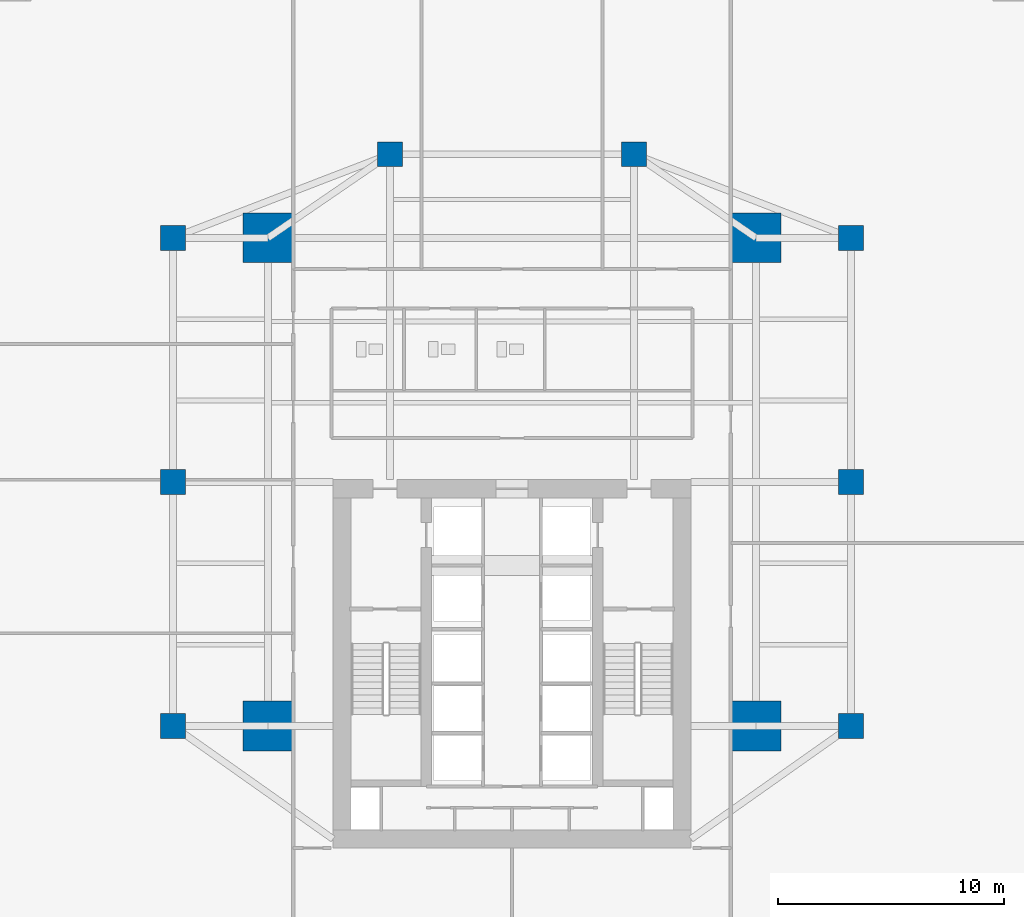
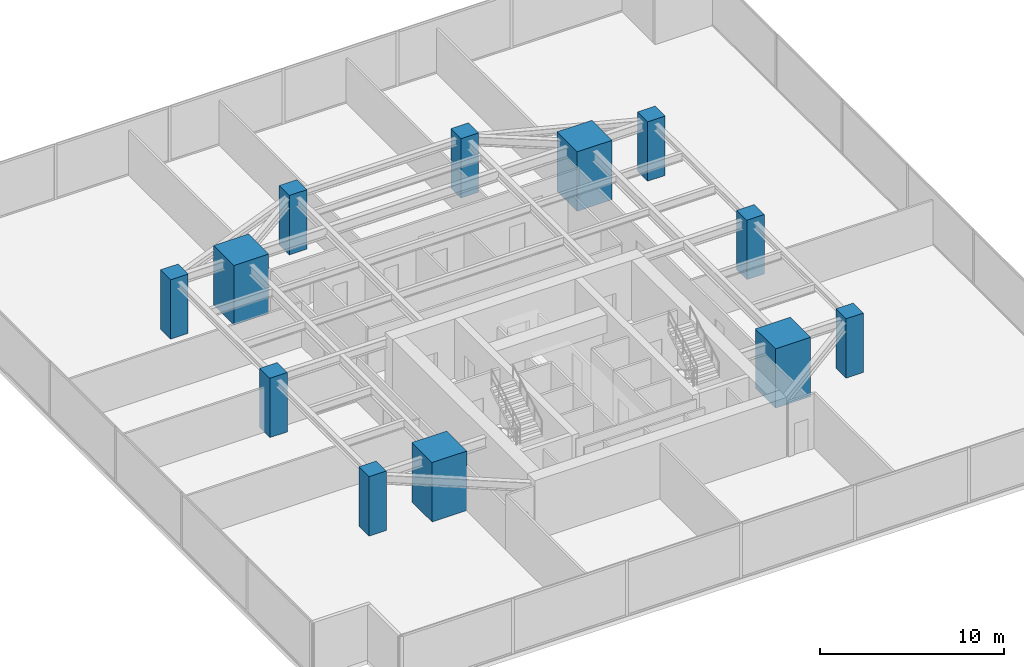
# One storey, part 1 of 28: 12 columns.
"""IFC4 building model written with IfcOpenShell, lengths in metres."""

from ifc_helpers import new_model, si_unit, direction, frame, origin, origin_2d, place, context, subcontext, project, spatial, rectangle, extrude, source, transform, mapped, material, material_profile, profile_set, type_object, type_shapes, element, save


model = new_model("IFC4")

# Units and contexts
model_context = context("Model", 3, precision=1e-05, world=origin(), true_north=direction((0.0, 1.0)))
body_context = subcontext(model_context, "Body", "Model", "MODEL_VIEW")
ifc_project = project(units=[si_unit("LENGTHUNIT", "METRE"), si_unit("AREAUNIT", "SQUARE_METRE"), si_unit("VOLUMEUNIT", "CUBIC_METRE"), si_unit("PLANEANGLEUNIT", "RADIAN"), si_unit("MASSUNIT", "GRAM", prefix="KILO")], contexts=[model_context])

# Site, building, storey
site_placement = place(None, origin())
site = spatial("IfcSite", under=ifc_project, at=site_placement, CompositionType="ELEMENT")
building_placement = place(site_placement, origin())
building = spatial("IfcBuilding", under=site, at=building_placement, Name="Krantzveldt Concourse Tower", CompositionType="ELEMENT")
storey_placement = place(building_placement, frame((0.0, 0.0, 28.949951171875)))
storey = spatial("IfcBuildingStorey", under=building, at=storey_placement, Name="L06", CompositionType="ELEMENT", Elevation=28.949951171875)

# Columns
ifc_material = material(Name="Concrete C60/75", Category="concrete")
ifc_material_profile_1 = material_profile(ifc_material, rectangle(XDim=2.199951171875, YDim=2.199951171875, at=origin_2d()), Name="Concrete C60/75", Category="concrete")
ifc_profile_set_1 = profile_set([ifc_material_profile_1], Name="Concrete C60/75 - RC 2200x2200")
column_type_1 = type_object("IfcColumnType", Name="COL-MC-2200", PredefinedType="USERDEFINED", material=ifc_profile_set_1)
shared_shape_1 = source(origin(), body_context, "Body", "SweptSolid", [
    extrude(rectangle(XDim=2.199951171875, YDim=2.199951171875, at=origin_2d()), origin(), (0.0, 0.0, 1.0), 3.949951171875),
])
type_shapes(column_type_1, [shared_shape_1])
for number, where, z_axis, x_axis, name in (
    (1, (25.199951171875, 15.89990234375, 0.0), (0.0, 0.0, 1.0), (1.0, 0.0, 0.0), "MC-SW-L06"),
    (2, (46.800048828125, 15.89990234375, 0.0), (0.0, 0.0, 1.0), (1.0, 0.0, 0.0), "MC-SE-L06"),
    (3, (46.800048828125, 37.5, 0.0), (0.0, 0.0, 1.0), (1.0, 0.0, 0.0), "MC-NE-L06"),
    (4, (25.199951171875, 37.5, 0.0), (0.0, 0.0, 1.0), (1.0, 0.0, 0.0), "MC-NW-L06"),
):
    element("IfcColumn", number, at=place(storey_placement, frame(where, z_axis=z_axis, x_axis=x_axis)), inside=storey, type_object=column_type_1, Name=name, ObjectType="MEGA COLUMN", PredefinedType="USERDEFINED", context=body_context, shape_type="MappedRepresentation", body=[
        mapped(shared_shape_1, transform((0.0, 0.0, 0.0), x_axis=(1.0, 0.0, 0.0), y_axis=(0.0, 1.0, 0.0), z_axis=(0.0, 0.0, 1.0), scale=1.0)),
    ])
ifc_material_profile_2 = material_profile(ifc_material, rectangle(XDim=1.10009765625, YDim=1.10009765625, at=origin_2d()), Name="Concrete C60/75", Category="concrete")
ifc_profile_set_2 = profile_set([ifc_material_profile_2], Name="Concrete C60/75 - RC 1100x1100")
column_type_2 = type_object("IfcColumnType", Name="COL-C-Z1", PredefinedType="COLUMN", material=ifc_profile_set_2)
shared_shape_2 = source(origin(), body_context, "Body", "SweptSolid", [
    extrude(rectangle(XDim=1.10009765625, YDim=1.10009765625, at=origin_2d()), origin(), (0.0, 0.0, 1.0), 3.949951171875),
])
type_shapes(column_type_2, [shared_shape_2])
for number, where, z_axis, x_axis, name in (
    (5, (21.0, 15.89990234375, 0.0), (0.0, 0.0, 1.0), (1.0, 0.0, 0.0), "PC-R01-L06"),
    (6, (21.0, 26.699951171875, 0.0), (0.0, 0.0, 1.0), (1.0, 0.0, 0.0), "PC-R02-L06"),
    (7, (21.0, 37.5, 0.0), (0.0, 0.0, 1.0), (1.0, 0.0, 0.0), "PC-R03-L06"),
    (8, (30.60009765625, 41.199951171875, 0.0), (0.0, 0.0, 1.0), (1.0, 0.0, 0.0), "PC-R04-L06"),
    (9, (41.39990234375, 41.199951171875, 0.0), (0.0, 0.0, 1.0), (1.0, 0.0, 0.0), "PC-R05-L06"),
    (10, (51.0, 37.5, 0.0), (0.0, 0.0, 1.0), (1.0, 0.0, 0.0), "PC-R06-L06"),
    (11, (51.0, 26.699951171875, 0.0), (0.0, 0.0, 1.0), (1.0, 0.0, 0.0), "PC-R07-L06"),
    (12, (51.0, 15.89990234375, 0.0), (0.0, 0.0, 1.0), (1.0, 0.0, 0.0), "PC-R08-L06"),
):
    element("IfcColumn", number, at=place(storey_placement, frame(where, z_axis=z_axis, x_axis=x_axis)), inside=storey, type_object=column_type_2, Name=name, PredefinedType="COLUMN", context=body_context, shape_type="MappedRepresentation", body=[
        mapped(shared_shape_2, transform((0.0, 0.0, 0.0), x_axis=(1.0, 0.0, 0.0), y_axis=(0.0, 1.0, 0.0), z_axis=(0.0, 0.0, 1.0), scale=1.0)),
    ])

save(model, "model.ifc")
